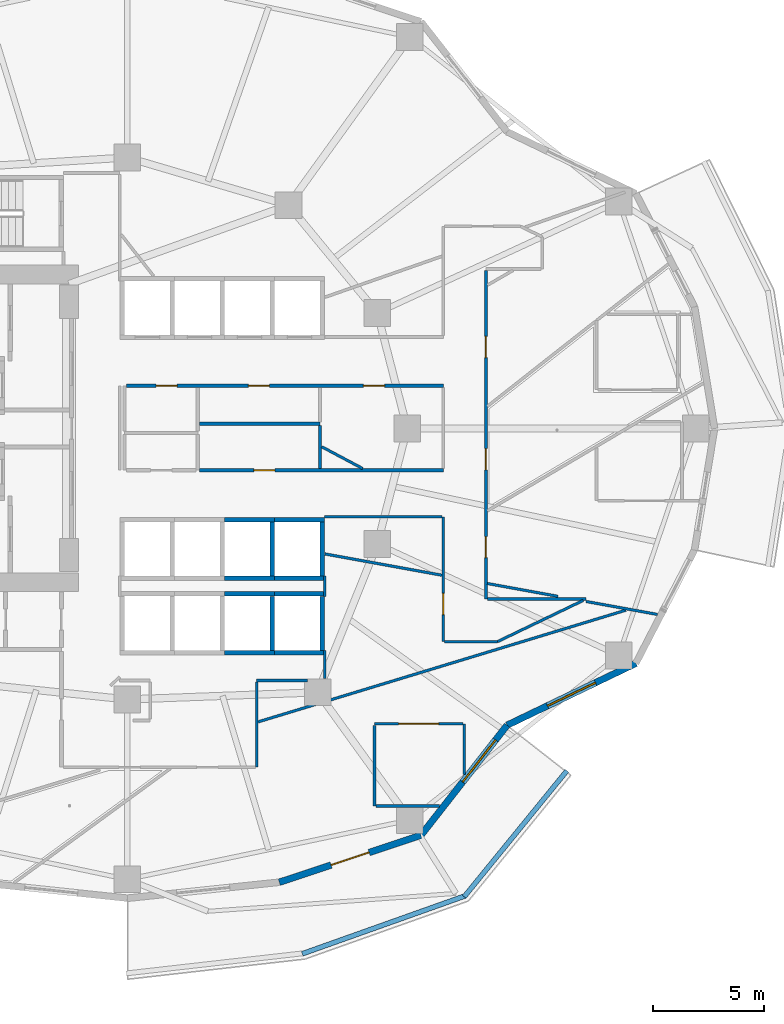
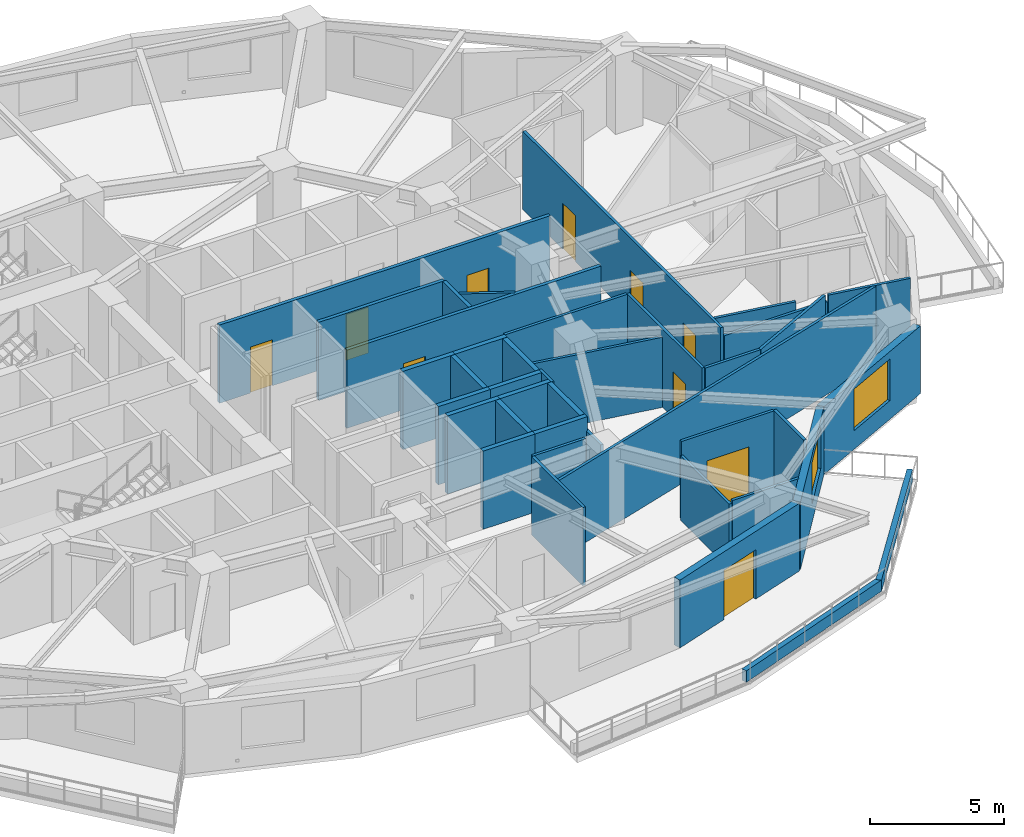
# One storey, part 5 of 15: 40 walls, 10 doors, 2 windows, 12 openings.
"""IFC4 building model written with IfcOpenShell, lengths in metres."""

from ifc_helpers import new_model, si_unit, direction, frame, frame_2d, origin, place, context, subcontext, project, spatial, rectangle, extrude, material, layer, layer_set, type_object, element, fill, save


model = new_model("IFC4")

# Units and contexts
model_context = context("Model", 3, precision=1e-05, world=origin(), true_north=direction((0.0, 1.0)))
body_context = subcontext(model_context, "Body", "Model", "MODEL_VIEW")
ifc_project = project(units=[si_unit("LENGTHUNIT", "METRE"), si_unit("AREAUNIT", "SQUARE_METRE"), si_unit("VOLUMEUNIT", "CUBIC_METRE"), si_unit("PLANEANGLEUNIT", "RADIAN"), si_unit("MASSUNIT", "GRAM", prefix="KILO")], contexts=[model_context])

# Site, building, storey
site_placement = place(None, origin())
site = spatial("IfcSite", under=ifc_project, at=site_placement, CompositionType="ELEMENT")
building_placement = place(site_placement, origin())
building = spatial("IfcBuilding", under=site, at=building_placement, Name="Kolvaren Gate Tower and Convention Centre", CompositionType="ELEMENT")
storey_placement = place(building_placement, frame((0.0, 0.0, 72.699951171875)))
storey = spatial("IfcBuildingStorey", under=building, at=storey_placement, Name="L17", CompositionType="ELEMENT", Elevation=72.699951171875)

# Walls
ifc_material_1 = material(Name="Fire-Rated Acoustic Gypsum Stud Partition", Category="gypsum")
ifc_layer_1 = layer(ifc_material_1, 0.1201171875)
ifc_layer_set_1 = layer_set([ifc_layer_1], Name="Fire-Rated Acoustic Gypsum Stud Partition")
wall_type_1 = type_object("IfcWallType", Name="ARCH-WL-PART-120", PredefinedType="PARTITIONING", material=ifc_layer_set_1)
wall_1_placement = place(storey_placement, frame((35.949951171875, 15.64990234375, 0.0), z_axis=(0.0, 0.0, 1.0), x_axis=(1.0, 0.0, 0.0)))
element("IfcWall", 1, at=wall_1_placement, inside=storey, type_object=wall_type_1, Name="Interior Partition WL-L17-INT-023", PredefinedType="PARTITIONING", context=body_context, shape_type="SweptSolid", body=[
    extrude(rectangle(XDim=2.291015625, YDim=0.1201171875, at=frame_2d((1.1455078125, 0.0))), origin(), (0.0, 0.0, 1.0), 3.570068359375),
])
wall_2_placement = place(storey_placement, frame((35.949951171875, 11.75, 0.0), z_axis=(0.0, 0.0, 1.0), x_axis=(0.0, 1.0, 0.0)))
element("IfcWall", 2, at=wall_2_placement, inside=storey, type_object=wall_type_1, Name="Interior Partition WL-L17-INT-024", PredefinedType="PARTITIONING", context=body_context, shape_type="SweptSolid", body=[
    extrude(rectangle(XDim=3.837890625, YDim=0.1201171875, at=frame_2d((1.9189453125, 0.0))), origin(), (0.0, 0.0, 1.0), 3.570068359375),
])

# Wall, opening, door
wall_3_placement = place(storey_placement, frame((44.35009765625, 17.39990234375, 0.0), z_axis=(0.0, 0.0, 1.0), x_axis=(0.0, 1.0, 0.0)))
wall_3 = element("IfcWall", 3, at=wall_3_placement, inside=storey, type_object=wall_type_1, Name="Interior Partition WL-L17-INT-032", PredefinedType="PARTITIONING", context=body_context, shape_type="SweptSolid", body=[
    extrude(rectangle(XDim=5.6201171875, YDim=0.1201171875, at=frame_2d((2.81005859375, 0.0))), origin(), (0.0, 0.0, 1.0), 3.570068359375),
])
opening_1_placement = place(wall_3_placement, frame((1.222900390625, 0.0, 0.0)))
opening_1 = element("IfcOpeningElement", 4, at=opening_1_placement, cuts=wall_3, Name="Opening DR-01", PredefinedType="OPENING", context=body_context, shape_type="SweptSolid", body=[
    extrude(rectangle(XDim=0.949951171875, YDim=2.10009765625, at=frame_2d((0.47509765625, 1.050048828125))), frame((0.0, 0.070068359375, 0.0), z_axis=(0.0, -1.0, 0.0), x_axis=(1.0, 0.0, 0.0)), (0.0, 0.0, 1.0), 0.14013671875),
])
ifc_material_2 = material(Name="Painted Architectural Steelwork ASTM A500 Grade C 345 MPa", Category="steel")
door_type_1 = type_object("IfcDoorType", Name="ARCH-DR-RISER-950", OperationType="SINGLE_SWING_RIGHT", PredefinedType="DOOR", material=ifc_material_2)
door_1_placement = place(opening_1_placement, origin())
door_1 = element("IfcDoor", 5, at=door_1_placement, inside=storey, type_object=door_type_1, Name="Associate Cellular Office Door", OperationType="SINGLE_SWING_LEFT", OverallHeight=2.10009765625, OverallWidth=0.949951171875, PredefinedType="DOOR", context=body_context, shape_type="SweptSolid", body=[
    extrude(rectangle(XDim=0.949951171875, YDim=2.10009765625, at=frame_2d((0.47509765625, 1.050048828125))), frame((0.0, 0.02490234375, 0.0), z_axis=(0.0, -1.0, 0.0), x_axis=(1.0, 0.0, 0.0)), (0.0, 0.0, 1.0), 0.050048828125),
])
fill(opening_1, door_1)

# Wall, openings, doors
wall_4_placement = place(storey_placement, frame((46.27001953125, 19.320068359375, 0.0), z_axis=(0.0, 0.0, 1.0), x_axis=(0.0, 1.0, 0.0)))
wall_4 = element("IfcWall", 6, at=wall_4_placement, inside=storey, type_object=wall_type_1, Name="Interior Partition WL-L17-INT-039", PredefinedType="PARTITIONING", context=body_context, shape_type="SweptSolid", body=[
    extrude(rectangle(XDim=14.7978515625, YDim=0.1201171875, at=frame_2d((7.39892578125, 0.0))), origin(), (0.0, 0.0, 1.0), 3.570068359375),
])
opening_2_placement = place(wall_4_placement, frame((1.864990234375, 0.0, 0.0)))
opening_2 = element("IfcOpeningElement", 7, at=opening_2_placement, cuts=wall_4, Name="Opening DR-01", PredefinedType="OPENING", context=body_context, shape_type="SweptSolid", body=[
    extrude(rectangle(XDim=0.949951171875, YDim=2.10009765625, at=frame_2d((0.47509765625, 1.050048828125))), frame((0.0, 0.070068359375, 0.0), z_axis=(0.0, -1.0, 0.0), x_axis=(1.0, 0.0, 0.0)), (0.0, 0.0, 1.0), 0.14013671875),
])
opening_3_placement = place(wall_4_placement, frame((5.817626953125, 0.0, 0.0)))
opening_3 = element("IfcOpeningElement", 8, at=opening_3_placement, cuts=wall_4, Name="Opening DR-01", PredefinedType="OPENING", context=body_context, shape_type="SweptSolid", body=[
    extrude(rectangle(XDim=0.949951171875, YDim=2.10009765625, at=frame_2d((0.47509765625, 1.050048828125))), frame((0.0, 0.070068359375, 0.0), z_axis=(0.0, -1.0, 0.0), x_axis=(1.0, 0.0, 0.0)), (0.0, 0.0, 1.0), 0.14013671875),
])
opening_4_placement = place(wall_4_placement, frame((10.871337890625, 0.0, 0.0)))
opening_4 = element("IfcOpeningElement", 9, at=opening_4_placement, cuts=wall_4, Name="Opening DR-01", PredefinedType="OPENING", context=body_context, shape_type="SweptSolid", body=[
    extrude(rectangle(XDim=0.949951171875, YDim=2.10009765625, at=frame_2d((0.47509765625, 1.050048828125))), frame((0.0, 0.070068359375, 0.0), z_axis=(0.0, -1.0, 0.0), x_axis=(1.0, 0.0, 0.0)), (0.0, 0.0, 1.0), 0.14013671875),
])
door_2_placement = place(opening_2_placement, origin())
door_2 = element("IfcDoor", 10, at=door_2_placement, inside=storey, type_object=door_type_1, Name="Associate Cellular Office Door", OperationType="SINGLE_SWING_RIGHT", OverallHeight=2.10009765625, OverallWidth=0.949951171875, PredefinedType="DOOR", context=body_context, shape_type="SweptSolid", body=[
    extrude(rectangle(XDim=0.949951171875, YDim=2.10009765625, at=frame_2d((0.47509765625, 1.050048828125))), frame((0.0, 0.02490234375, 0.0), z_axis=(0.0, -1.0, 0.0), x_axis=(1.0, 0.0, 0.0)), (0.0, 0.0, 1.0), 0.050048828125),
])
fill(opening_2, door_2)
door_3_placement = place(opening_3_placement, origin())
door_3 = element("IfcDoor", 11, at=door_3_placement, inside=storey, type_object=door_type_1, Name="Legal Chambers Cellular Office Door", OperationType="SINGLE_SWING_RIGHT", OverallHeight=2.10009765625, OverallWidth=0.949951171875, PredefinedType="DOOR", context=body_context, shape_type="SweptSolid", body=[
    extrude(rectangle(XDim=0.949951171875, YDim=2.10009765625, at=frame_2d((0.47509765625, 1.050048828125))), frame((0.0, 0.02490234375, 0.0), z_axis=(0.0, -1.0, 0.0), x_axis=(1.0, 0.0, 0.0)), (0.0, 0.0, 1.0), 0.050048828125),
])
fill(opening_3, door_3)
door_4_placement = place(opening_4_placement, origin())
door_4 = element("IfcDoor", 12, at=door_4_placement, inside=storey, type_object=door_type_1, Name="Deposition Interview Room Door", OperationType="SINGLE_SWING_LEFT", OverallHeight=2.10009765625, OverallWidth=0.949951171875, PredefinedType="DOOR", context=body_context, shape_type="SweptSolid", body=[
    extrude(rectangle(XDim=0.949951171875, YDim=2.10009765625, at=frame_2d((0.47509765625, 1.050048828125))), frame((0.0, 0.02490234375, 0.0), z_axis=(0.0, -1.0, 0.0), x_axis=(1.0, 0.0, 0.0)), (0.0, 0.0, 1.0), 0.050048828125),
])
fill(opening_4, door_4)

# Walls
wall_5_placement = place(storey_placement, frame((46.33203125, 19.320068359375, 0.0), z_axis=(0.0, 0.0, 1.0), x_axis=(1.0, 0.0, 0.0)))
element("IfcWall", 13, at=wall_5_placement, inside=storey, type_object=wall_type_1, Name="Interior Partition WL-L17-INT-040", PredefinedType="PARTITIONING", context=body_context, shape_type="SweptSolid", body=[
    extrude(rectangle(XDim=4.447021484375, YDim=0.1201171875, at=frame_2d((2.2236328125, 0.0))), origin(), (0.0, 0.0, 1.0), 3.205078125),
])
wall_6_placement = place(storey_placement, frame((46.782958984375, 17.39990234375, 0.0), z_axis=(0.0, 0.0, 1.0), x_axis=(0.901339159108, 0.433113980679, 0.0)))
element("IfcWall", 14, at=wall_6_placement, inside=storey, type_object=wall_type_1, Name="Interior Partition WL-L17-INT-041", PredefinedType="PARTITIONING", context=body_context, shape_type="SweptSolid", body=[
    extrude(rectangle(XDim=4.290283203125, YDim=0.1201171875, at=frame_2d((2.14501953125, 0.0))), origin(), (0.0, 0.0, 1.0), 3.570068359375),
])
wall_7_placement = place(storey_placement, frame((44.412109375, 17.39990234375, 0.0), z_axis=(0.0, 0.0, 1.0), x_axis=(1.0, 0.0, 0.0)))
element("IfcWall", 15, at=wall_7_placement, inside=storey, type_object=wall_type_1, Name="Interior Partition WL-L17-INT-042", PredefinedType="PARTITIONING", context=body_context, shape_type="SweptSolid", body=[
    extrude(rectangle(XDim=2.370849609375, YDim=0.1201171875, at=frame_2d((1.185546875, 0.0))), origin(), (0.0, 0.0, 1.0), 3.570068359375),
])
wall_8_placement = place(storey_placement, frame((39.0, 23.02001953125, 0.0), z_axis=(0.0, 0.0, 1.0), x_axis=(1.0, 0.0, 0.0)))
element("IfcWall", 16, at=wall_8_placement, inside=storey, type_object=wall_type_1, Name="Interior Partition WL-L17-INT-043", PredefinedType="PARTITIONING", context=body_context, shape_type="SweptSolid", body=[
    extrude(rectangle(XDim=5.2880859375, YDim=0.1201171875, at=frame_2d((2.64404296875, 0.0))), origin(), (0.0, 0.0, 1.0), 3.570068359375),
])
wall_9_placement = place(storey_placement, frame((39.02001953125, 15.741943359375, 0.0), z_axis=(0.0, 0.0, 1.0), x_axis=(0.0, 1.0, 0.0)))
element("IfcWall", 17, at=wall_9_placement, inside=storey, type_object=wall_type_1, Name="Interior Partition WL-L17-INT-044", PredefinedType="PARTITIONING", context=body_context, shape_type="SweptSolid", body=[
    extrude(rectangle(XDim=1.26806640625, YDim=0.1201171875, at=frame_2d((0.634033203125, 0.0))), origin(), (0.0, 0.0, 1.0), 2.93408203125),
])
wall_10_placement = place(storey_placement, frame((39.02001953125, 19.43994140625, 0.0), z_axis=(0.0, 0.0, 1.0), x_axis=(0.0, 1.0, 0.0)))
element("IfcWall", 18, at=wall_10_placement, inside=storey, type_object=wall_type_1, Name="Interior Partition WL-L17-INT-044 (2)", PredefinedType="PARTITIONING", context=body_context, shape_type="SweptSolid", body=[
    extrude(rectangle(XDim=0.920166015625, YDim=0.1201171875, at=frame_2d((0.4599609375, 0.0))), origin(), (0.0, 0.0, 1.0), 3.570068359375),
])
wall_11_placement = place(storey_placement, frame((39.02001953125, 21.351318359375, 0.0), z_axis=(0.0, 0.0, 1.0), x_axis=(0.983848017156, -0.179005807552, 0.0)))
element("IfcWall", 19, at=wall_11_placement, inside=storey, type_object=wall_type_1, Name="Interior Partition WL-L17-INT-049", PredefinedType="PARTITIONING", context=body_context, shape_type="SweptSolid", body=[
    extrude(rectangle(XDim=5.3544921875, YDim=0.1201171875, at=frame_2d((2.67724609375, 0.0))), origin(), (0.0, 0.0, 1.0), 3.205078125),
])
wall_12_placement = place(storey_placement, frame((46.33203125, 20.02099609375, 0.0), z_axis=(0.0, 0.0, 1.0), x_axis=(0.983836071263, -0.17907145189, 0.0)))
element("IfcWall", 20, at=wall_12_placement, inside=storey, type_object=wall_type_1, Name="Interior Partition WL-L17-INT-050", PredefinedType="PARTITIONING", context=body_context, shape_type="SweptSolid", body=[
    extrude(rectangle(XDim=3.23388671875, YDim=0.1201171875, at=frame_2d((1.616943359375, 0.0))), origin(), (0.0, 0.0, 1.0), 3.570068359375),
])
wall_13_placement = place(storey_placement, frame((50.779052734375, 19.2119140625, 0.0), z_axis=(0.0, 0.0, 1.0), x_axis=(0.983831584621, -0.179096100189, 0.0)))
element("IfcWall", 21, at=wall_13_placement, inside=storey, type_object=wall_type_1, Name="Interior Partition WL-L17-INT-051", PredefinedType="PARTITIONING", context=body_context, shape_type="SweptSolid", body=[
    extrude(rectangle(XDim=3.263427734375, YDim=0.1201171875, at=frame_2d((1.6318359375, 0.0))), origin(), (0.0, 0.0, 1.0), 3.570068359375),
])
wall_14_placement = place(storey_placement, frame((36.011962890625, 13.78955078125, 0.0), z_axis=(0.0, 0.0, 1.0), x_axis=(0.95683920317, 0.290617857809, 0.0)))
element("IfcWall", 22, at=wall_14_placement, inside=storey, type_object=wall_type_1, Name="Interior Partition WL-L17-INT-053", PredefinedType="PARTITIONING", context=body_context, shape_type="SweptSolid", body=[
    extrude(rectangle(XDim=17.31396484375, YDim=0.1201171875, at=frame_2d((8.656982421875, 0.0))), origin(), (0.0, 0.0, 1.0), 3.570068359375),
])
wall_15_placement = place(storey_placement, frame((45.300048828125, 11.428955078125, 0.0), z_axis=(0.0, 0.0, 1.0), x_axis=(0.0, 1.0, 0.0)))
element("IfcWall", 23, at=wall_15_placement, inside=storey, type_object=wall_type_1, Name="Interior Partition WL-L17-INT-055", PredefinedType="PARTITIONING", context=body_context, shape_type="SweptSolid", body=[
    extrude(rectangle(XDim=2.27099609375, YDim=0.1201171875, at=frame_2d((1.135498046875, 0.0))), origin(), (0.0, 0.0, 1.0), 3.570068359375),
])

# Wall, opening, door
wall_16_placement = place(storey_placement, frame((41.25, 13.699951171875, 0.0), z_axis=(0.0, 0.0, 1.0), x_axis=(1.0, 0.0, 0.0)))
wall_16 = element("IfcWall", 24, at=wall_16_placement, inside=storey, type_object=wall_type_1, Name="Interior Partition WL-L17-INT-056", PredefinedType="PARTITIONING", context=body_context, shape_type="SweptSolid", body=[
    extrude(rectangle(XDim=3.988037109375, YDim=0.1201171875, at=frame_2d((1.994140625, 0.0))), origin(), (0.0, 0.0, 1.0), 3.570068359375),
])
opening_5_placement = place(wall_16_placement, frame((1.093994140625, 0.0, 0.0)))
opening_5 = element("IfcOpeningElement", 25, at=opening_5_placement, cuts=wall_16, Name="Opening DH-01", PredefinedType="OPENING", context=body_context, shape_type="SweptSolid", body=[
    extrude(rectangle(XDim=1.800048828125, YDim=2.300048828125, at=frame_2d((0.89990234375, 1.14990234375))), frame((0.0, 0.070068359375, 0.0), z_axis=(0.0, -1.0, 0.0), x_axis=(1.0, 0.0, 0.0)), (0.0, 0.0, 1.0), 0.14013671875),
])
ifc_material_3 = material(Name="FSC Andean Oak Engineered Veneer Door Leaf", Category="wood")
door_type_2 = type_object("IfcDoorType", Name="ARCH-DR-HALL-1800", OperationType="DOUBLE_DOOR_SINGLE_SWING", PredefinedType="DOOR", material=ifc_material_3)
door_5_placement = place(opening_5_placement, origin())
door_5 = element("IfcDoor", 26, at=door_5_placement, inside=storey, type_object=door_type_2, Name="Consultation Meeting Room Door", OperationType="DOUBLE_DOOR_SINGLE_SWING", OverallHeight=2.300048828125, OverallWidth=1.800048828125, PredefinedType="DOOR", context=body_context, shape_type="SweptSolid", body=[
    extrude(rectangle(XDim=1.800048828125, YDim=2.300048828125, at=frame_2d((0.89990234375, 1.14990234375))), frame((0.0, 0.02490234375, 0.0), z_axis=(0.0, -1.0, 0.0), x_axis=(1.0, 0.0, 0.0)), (0.0, 0.0, 1.0), 0.050048828125),
])
fill(opening_5, door_5)

# Walls
wall_17_placement = place(storey_placement, frame((41.25, 10.0, 0.0), z_axis=(0.0, 0.0, 1.0), x_axis=(0.0, 1.0, 0.0)))
element("IfcWall", 27, at=wall_17_placement, inside=storey, type_object=wall_type_1, Name="Interior Partition WL-L17-INT-057", PredefinedType="PARTITIONING", context=body_context, shape_type="SweptSolid", body=[
    extrude(rectangle(XDim=3.637939453125, YDim=0.1201171875, at=frame_2d((1.81884765625, 0.0))), origin(), (0.0, 0.0, 1.0), 2.93408203125),
])
wall_18_placement = place(storey_placement, frame((41.31201171875, 10.0, 0.0), z_axis=(0.0, 0.0, 1.0), x_axis=(1.0, 0.0, 0.0)))
element("IfcWall", 28, at=wall_18_placement, inside=storey, type_object=wall_type_1, Name="Interior Partition WL-L17-INT-058", PredefinedType="PARTITIONING", context=body_context, shape_type="SweptSolid", body=[
    extrude(rectangle(XDim=2.869384765625, YDim=0.1201171875, at=frame_2d((1.4345703125, 0.0))), origin(), (0.0, 0.0, 1.0), 3.093017578125),
])
wall_19_placement = place(storey_placement, frame((38.876953125, 26.177001953125, 0.0), z_axis=(0.0, 0.0, 1.0), x_axis=(0.882864132349, -0.469628495527, 0.0)))
element("IfcWall", 29, at=wall_19_placement, inside=storey, type_object=wall_type_1, Name="Interior Partition WL-L17-INT-065", PredefinedType="PARTITIONING", context=body_context, shape_type="SweptSolid", body=[
    extrude(rectangle(XDim=2.086669921875, YDim=0.1201171875, at=frame_2d((1.04345703125, 0.0))), origin(), (0.0, 0.0, 1.0), 3.570068359375),
])
ifc_material_4 = material(Name="Piedmont Cream Honed Limestone Cladding", Category="masonry")
ifc_layer_2 = layer(ifc_material_4, 0.219970703125)
ifc_layer_set_2 = layer_set([ifc_layer_2], Name="Piedmont Cream Honed Limestone Cladding")
wall_type_2 = type_object("IfcWallType", Name="ARCH-WL-PLANTER-220", PredefinedType="PARAPET", material=ifc_layer_set_2)
wall_20_placement = place(storey_placement, frame((38.001220703125, 3.348876953125, 0.0), z_axis=(0.0, 0.0, 1.0), x_axis=(0.942203722205, 0.335040513764, 0.0)))
element("IfcWall", 30, at=wall_20_placement, inside=storey, type_object=wall_type_2, Name="Vertical-Forest Balcony Stone Planter Kerb PK-L17-3.2", PredefinedType="PARAPET", context=body_context, shape_type="SweptSolid", body=[
    extrude(rectangle(XDim=7.80712890625, YDim=0.219970703125, at=frame_2d((3.903564453125, 0.0))), origin(), (0.0, 0.0, 1.0), 0.52001953125),
])
wall_21_placement = place(storey_placement, frame((45.2919921875, 5.91796875, 0.0), z_axis=(0.0, 0.0, 1.0), x_axis=(0.631819273026, 0.775115737315, 0.0)))
element("IfcWall", 31, at=wall_21_placement, inside=storey, type_object=wall_type_2, Name="Vertical-Forest Balcony Stone Planter Kerb PK-L17-3.3", PredefinedType="PARAPET", context=body_context, shape_type="SweptSolid", body=[
    extrude(rectangle(XDim=7.31591796875, YDim=0.219970703125, at=frame_2d((3.657958984375, 0.0))), origin(), (0.0, 0.0, 1.0), 0.52001953125),
])
ifc_material_5 = material(Name="Autoclaved Aerated Masonry Blockwork Class 4 (4.0 MPa)", Category="masonry")
ifc_layer_3 = layer(ifc_material_5, 0.199951171875)
ifc_layer_set_3 = layer_set([ifc_layer_3], Name="Autoclaved Aerated Masonry Blockwork Class 4 (4.0 MPa)")
wall_type_3 = type_object("IfcWallType", Name="ARCH-WL-SHAFT-200", PredefinedType="SOLIDWALL", material=ifc_layer_set_3)
for number, where, z_axis, x_axis, name in (
    (32, (34.5, 19.550048828125, 0.0), (0.0, 0.0, 1.0), (1.0, 0.0, 0.0), "Elevator PL-07 L17 Fire Shaft Wall N"),
    (33, (34.5, 16.89990234375, 0.0), (0.0, 0.0, 1.0), (1.0, 0.0, 0.0), "Elevator PL-07 L17 Fire Shaft Wall S"),
):
    element("IfcWall", number, at=place(storey_placement, frame(where, z_axis=z_axis, x_axis=x_axis)), inside=storey, type_object=wall_type_3, Name=name, PredefinedType="SOLIDWALL", context=body_context, shape_type="SweptSolid", body=[
        extrude(rectangle(XDim=2.25, YDim=0.199951171875, at=frame_2d((1.125, 0.0))), origin(), (0.0, 0.0, 1.0), 3.570068359375),
    ])
wall_22_placement = place(storey_placement, frame((36.64990234375, 17.010009765625, 0.0), z_axis=(0.0, 0.0, 1.0), x_axis=(0.0, 1.0, 0.0)))
element("IfcWall", 34, at=wall_22_placement, inside=storey, type_object=wall_type_3, Name="Elevator PL-07 L17 Fire Shaft Wall E", PredefinedType="SOLIDWALL", context=body_context, shape_type="SweptSolid", body=[
    extrude(rectangle(XDim=2.429931640625, YDim=0.199951171875, at=frame_2d((1.21484375, 0.0))), origin(), (0.0, 0.0, 1.0), 3.570068359375),
])
for number, where, z_axis, x_axis, name in (
    (35, (36.75, 19.550048828125, 0.0), (0.0, 0.0, 1.0), (1.0, 0.0, 0.0), "Elevator PL-08 L17 Fire Shaft Wall N"),
    (36, (36.75, 16.89990234375, 0.0), (0.0, 0.0, 1.0), (1.0, 0.0, 0.0), "Elevator PL-08 L17 Fire Shaft Wall S"),
):
    element("IfcWall", number, at=place(storey_placement, frame(where, z_axis=z_axis, x_axis=x_axis)), inside=storey, type_object=wall_type_3, Name=name, PredefinedType="SOLIDWALL", context=body_context, shape_type="SweptSolid", body=[
        extrude(rectangle(XDim=2.25, YDim=0.199951171875, at=frame_2d((1.125, 0.0))), origin(), (0.0, 0.0, 1.0), 3.570068359375),
    ])
wall_23_placement = place(storey_placement, frame((38.89990234375, 17.010009765625, 0.0), z_axis=(0.0, 0.0, 1.0), x_axis=(0.0, 1.0, 0.0)))
element("IfcWall", 37, at=wall_23_placement, inside=storey, type_object=wall_type_3, Name="Elevator PL-08 L17 Fire Shaft Wall E", PredefinedType="SOLIDWALL", context=body_context, shape_type="SweptSolid", body=[
    extrude(rectangle(XDim=2.429931640625, YDim=0.199951171875, at=frame_2d((1.21484375, 0.0))), origin(), (0.0, 0.0, 1.0), 3.570068359375),
])
for number, where, z_axis, x_axis, name in (
    (38, (34.5, 22.89990234375, 0.0), (0.0, 0.0, 1.0), (1.0, 0.0, 0.0), "Elevator PL-11 L17 Fire Shaft Wall N"),
    (39, (34.5, 20.25, 0.0), (0.0, 0.0, 1.0), (1.0, 0.0, 0.0), "Elevator PL-11 L17 Fire Shaft Wall S"),
):
    element("IfcWall", number, at=place(storey_placement, frame(where, z_axis=z_axis, x_axis=x_axis)), inside=storey, type_object=wall_type_3, Name=name, PredefinedType="SOLIDWALL", context=body_context, shape_type="SweptSolid", body=[
        extrude(rectangle(XDim=2.25, YDim=0.199951171875, at=frame_2d((1.125, 0.0))), origin(), (0.0, 0.0, 1.0), 3.570068359375),
    ])
wall_24_placement = place(storey_placement, frame((36.64990234375, 20.360107421875, 0.0), z_axis=(0.0, 0.0, 1.0), x_axis=(0.0, 1.0, 0.0)))
element("IfcWall", 40, at=wall_24_placement, inside=storey, type_object=wall_type_3, Name="Elevator PL-11 L17 Fire Shaft Wall E", PredefinedType="SOLIDWALL", context=body_context, shape_type="SweptSolid", body=[
    extrude(rectangle(XDim=2.429931640625, YDim=0.199951171875, at=frame_2d((1.21484375, 0.0))), origin(), (0.0, 0.0, 1.0), 3.570068359375),
])
for number, where, z_axis, x_axis, name in (
    (41, (36.75, 22.89990234375, 0.0), (0.0, 0.0, 1.0), (1.0, 0.0, 0.0), "Elevator PL-12 L17 Fire Shaft Wall N"),
    (42, (36.75, 20.25, 0.0), (0.0, 0.0, 1.0), (1.0, 0.0, 0.0), "Elevator PL-12 L17 Fire Shaft Wall S"),
):
    element("IfcWall", number, at=place(storey_placement, frame(where, z_axis=z_axis, x_axis=x_axis)), inside=storey, type_object=wall_type_3, Name=name, PredefinedType="SOLIDWALL", context=body_context, shape_type="SweptSolid", body=[
        extrude(rectangle(XDim=2.25, YDim=0.199951171875, at=frame_2d((1.125, 0.0))), origin(), (0.0, 0.0, 1.0), 3.570068359375),
    ])
wall_25_placement = place(storey_placement, frame((38.89990234375, 20.360107421875, 0.0), z_axis=(0.0, 0.0, 1.0), x_axis=(0.0, 1.0, 0.0)))
element("IfcWall", 43, at=wall_25_placement, inside=storey, type_object=wall_type_3, Name="Elevator PL-12 L17 Fire Shaft Wall E", PredefinedType="SOLIDWALL", context=body_context, shape_type="SweptSolid", body=[
    extrude(rectangle(XDim=2.429931640625, YDim=0.199951171875, at=frame_2d((1.21484375, 0.0))), origin(), (0.0, 0.0, 1.0), 3.570068359375),
])

# Wall, opening, door
ifc_layer_4 = layer(ifc_material_4, 0.300048828125)
ifc_layer_set_4 = layer_set([ifc_layer_4], Name="Piedmont Cream Honed Limestone Cladding")
wall_type_4 = type_object("IfcWallType", Name="ARCH-WL-STONE-300", PredefinedType="SOLIDWALL", material=ifc_layer_set_4)
wall_26_placement = place(storey_placement, frame((36.967529296875, 6.57080078125, 0.0), z_axis=(0.0, 0.0, 1.0), x_axis=(0.949245153629, 0.314537181127, 0.0)))
wall_26 = element("IfcWall", 44, at=wall_26_placement, inside=storey, type_object=wall_type_4, Name="Tower L17 Honed Stone Spandrel Wall EW-19", PredefinedType="SOLIDWALL", context=body_context, shape_type="SweptSolid", body=[
    extrude(rectangle(XDim=6.717041015625, YDim=0.300048828125, at=frame_2d((3.3583984375, 0.0))), origin(), (0.0, 0.0, 1.0), 3.093017578125),
])
opening_6_placement = place(wall_26_placement, frame((2.458984375, 0.0, 0.0)))
opening_6 = element("IfcOpeningElement", 45, at=opening_6_placement, cuts=wall_26, Name="Opening DB-01", PredefinedType="OPENING", context=body_context, shape_type="SweptSolid", body=[
    extrude(rectangle(XDim=1.800048828125, YDim=2.25, at=frame_2d((0.89990234375, 1.125))), frame((0.0, 0.159912109375, 0.0), z_axis=(0.0, -1.0, 0.0), x_axis=(1.0, 0.0, 0.0)), (0.0, 0.0, 1.0), 0.320068359375),
])
ifc_material_6 = material(Name="Anodized Architectural Aluminium Alloy 6063-T6", Category="aluminium")
door_type_3 = type_object("IfcDoorType", Name="ARCH-DR-BALC-1800", OperationType="SLIDING_TO_LEFT", PredefinedType="DOOR", material=ifc_material_6)
door_6_placement = place(opening_6_placement, frame((1.800048828125, 0.0, 0.0), z_axis=(0.0, 0.0, 1.0), x_axis=(-1.0, 0.0, 0.0)))
door_6 = element("IfcDoor", 46, at=door_6_placement, inside=storey, type_object=door_type_3, Name="Planted Sky Terrace Access Door DB-L17-19", OperationType="SLIDING_TO_LEFT", OverallHeight=2.25, OverallWidth=1.800048828125, PredefinedType="DOOR", context=body_context, shape_type="SweptSolid", body=[
    extrude(rectangle(XDim=1.800048828125, YDim=2.25, at=frame_2d((0.89990234375, 1.125))), frame((0.0, 0.02490234375, 0.0), z_axis=(0.0, -1.0, 0.0), x_axis=(1.0, 0.0, 0.0)), (0.0, 0.0, 1.0), 0.050048828125),
])
fill(opening_6, door_6)

# Wall, opening, window
wall_27_placement = place(storey_placement, frame((43.34375, 8.68359375, 0.0), z_axis=(0.0, 0.0, 1.0), x_axis=(0.616434798832, 0.78740595552, 0.0)))
wall_27 = element("IfcWall", 47, at=wall_27_placement, inside=storey, type_object=wall_type_4, Name="Tower L17 Honed Stone Spandrel Wall EW-20", PredefinedType="SOLIDWALL", context=body_context, shape_type="SweptSolid", body=[
    extrude(rectangle(XDim=6.29443359375, YDim=0.300048828125, at=frame_2d((3.147216796875, 0.0))), origin(), (0.0, 0.0, 1.0), 3.093017578125),
])
opening_7_placement = place(wall_27_placement, frame((3.050048828125, 0.0, 0.85009765625)))
opening_7 = element("IfcOpeningElement", 48, at=opening_7_placement, cuts=wall_27, Name="Opening W-01", PredefinedType="OPENING", context=body_context, shape_type="SweptSolid", body=[
    extrude(rectangle(XDim=2.39990234375, YDim=1.89990234375, at=frame_2d((1.199951171875, 0.949951171875))), frame((0.0, 0.159912109375, 0.0), z_axis=(0.0, -1.0, 0.0), x_axis=(1.0, 0.0, 0.0)), (0.0, 0.0, 1.0), 0.320068359375),
])
ifc_material_7 = material(Name="Low-E Triple Insulated Glazing Unit 44 mm", Category="glass")
window_type = type_object("IfcWindowType", Name="ARCH-WN-OFF-2400", PartitioningType="SINGLE_PANEL", PredefinedType="WINDOW", material=ifc_material_7)
window_1_placement = place(opening_7_placement, origin())
window_1 = element("IfcWindow", 49, at=window_1_placement, inside=storey, type_object=window_type, Name="Tower L17 Punched Stone Facade Window W-20", OverallHeight=1.89990234375, OverallWidth=2.39990234375, PartitioningType="SINGLE_PANEL", PredefinedType="WINDOW", context=body_context, shape_type="SweptSolid", body=[
    extrude(rectangle(XDim=2.39990234375, YDim=1.89990234375, at=frame_2d((1.199951171875, 0.949951171875))), frame((0.0, 0.030029296875, 0.0), z_axis=(0.0, -1.0, 0.0), x_axis=(1.0, 0.0, 0.0)), (0.0, 0.0, 1.0), 0.06005859375),
])
fill(opening_7, window_1)

wall_28_placement = place(storey_placement, frame((47.223876953125, 13.639892578125, 0.0), z_axis=(0.0, 0.0, 1.0), x_axis=(0.901354747727, 0.433081538224, 0.0)))
wall_28 = element("IfcWall", 50, at=wall_28_placement, inside=storey, type_object=wall_type_4, Name="Tower L17 Honed Stone Spandrel Wall EW-21", PredefinedType="SOLIDWALL", context=body_context, shape_type="SweptSolid", body=[
    extrude(rectangle(XDim=6.430908203125, YDim=0.300048828125, at=frame_2d((3.21533203125, 0.0))), origin(), (0.0, 0.0, 1.0), 3.093017578125),
])
opening_8_placement = place(wall_28_placement, frame((2.014892578125, 0.0, 0.85009765625)))
opening_8 = element("IfcOpeningElement", 51, at=opening_8_placement, cuts=wall_28, Name="Opening W-01", PredefinedType="OPENING", context=body_context, shape_type="SweptSolid", body=[
    extrude(rectangle(XDim=2.39990234375, YDim=1.89990234375, at=frame_2d((1.199951171875, 0.949951171875))), frame((0.0, 0.159912109375, 0.0), z_axis=(0.0, -1.0, 0.0), x_axis=(1.0, 0.0, 0.0)), (0.0, 0.0, 1.0), 0.320068359375),
])
window_2_placement = place(opening_8_placement, origin())
window_2 = element("IfcWindow", 52, at=window_2_placement, inside=storey, type_object=window_type, Name="Tower L17 Punched Stone Facade Window W-21", OverallHeight=1.89990234375, OverallWidth=2.39990234375, PartitioningType="SINGLE_PANEL", PredefinedType="WINDOW", context=body_context, shape_type="SweptSolid", body=[
    extrude(rectangle(XDim=2.39990234375, YDim=1.89990234375, at=frame_2d((1.199951171875, 0.949951171875))), frame((0.0, 0.030029296875, 0.0), z_axis=(0.0, -1.0, 0.0), x_axis=(1.0, 0.0, 0.0)), (0.0, 0.0, 1.0), 0.06005859375),
])
fill(opening_8, window_2)

# Wall, openings, doors
ifc_material_8 = material(Name="Moisture-Resistant Cement-Board Acoustic Partition", Category="gypsum")
ifc_layer_5 = layer(ifc_material_8, 0.14990234375)
ifc_layer_set_5 = layer_set([ifc_layer_5], Name="Moisture-Resistant Cement-Board Acoustic Partition")
wall_type_5 = type_object("IfcWallType", Name="ARCH-WL-WET-150", PredefinedType="PARTITIONING", material=ifc_layer_set_5)
wall_29_placement = place(storey_placement, frame((30.076904296875, 28.919921875, 0.0), z_axis=(0.0, 0.0, 1.0), x_axis=(1.0, 0.0, 0.0)))
wall_29 = element("IfcWall", 53, at=wall_29_placement, inside=storey, type_object=wall_type_5, Name="Interior Partition WL-L17-INT-017", PredefinedType="PARTITIONING", context=body_context, shape_type="SweptSolid", body=[
    extrude(rectangle(XDim=14.273193359375, YDim=0.14990234375, at=frame_2d((7.13671875, 0.0))), origin(), (0.0, 0.0, 1.0), 3.570068359375),
])
opening_9_placement = place(wall_29_placement, frame((1.341552734375, 0.0, 0.0)))
opening_9 = element("IfcOpeningElement", 54, at=opening_9_placement, cuts=wall_29, Name="Opening DR-01", PredefinedType="OPENING", context=body_context, shape_type="SweptSolid", body=[
    extrude(rectangle(XDim=0.949951171875, YDim=2.10009765625, at=frame_2d((0.47509765625, 1.050048828125))), frame((0.0, 0.0849609375, 0.0), z_axis=(0.0, -1.0, 0.0), x_axis=(1.0, 0.0, 0.0)), (0.0, 0.0, 1.0), 0.169921875),
])
opening_10_placement = place(wall_29_placement, frame((5.498046875, 0.0, 0.0)))
opening_10 = element("IfcOpeningElement", 55, at=opening_10_placement, cuts=wall_29, Name="Opening DR-01", PredefinedType="OPENING", context=body_context, shape_type="SweptSolid", body=[
    extrude(rectangle(XDim=0.949951171875, YDim=2.10009765625, at=frame_2d((0.47509765625, 1.050048828125))), frame((0.0, 0.0849609375, 0.0), z_axis=(0.0, -1.0, 0.0), x_axis=(1.0, 0.0, 0.0)), (0.0, 0.0, 1.0), 0.169921875),
])
opening_11_placement = place(wall_29_placement, frame((10.677978515625, 0.0, 0.0)))
opening_11 = element("IfcOpeningElement", 56, at=opening_11_placement, cuts=wall_29, Name="Opening DR-01", PredefinedType="OPENING", context=body_context, shape_type="SweptSolid", body=[
    extrude(rectangle(XDim=0.949951171875, YDim=2.10009765625, at=frame_2d((0.47509765625, 1.050048828125))), frame((0.0, 0.0849609375, 0.0), z_axis=(0.0, -1.0, 0.0), x_axis=(1.0, 0.0, 0.0)), (0.0, 0.0, 1.0), 0.169921875),
])
door_7_placement = place(opening_9_placement, origin())
door_7 = element("IfcDoor", 57, at=door_7_placement, inside=storey, type_object=door_type_1, Name="Accessible North Washroom Door", OperationType="SINGLE_SWING_RIGHT", OverallHeight=2.10009765625, OverallWidth=0.949951171875, PredefinedType="DOOR", context=body_context, shape_type="SweptSolid", body=[
    extrude(rectangle(XDim=0.949951171875, YDim=2.10009765625, at=frame_2d((0.47509765625, 1.050048828125))), frame((0.0, 0.02490234375, 0.0), z_axis=(0.0, -1.0, 0.0), x_axis=(1.0, 0.0, 0.0)), (0.0, 0.0, 1.0), 0.050048828125),
])
fill(opening_9, door_7)
door_8_placement = place(opening_10_placement, origin())
door_8 = element("IfcDoor", 58, at=door_8_placement, inside=storey, type_object=door_type_1, Name="Floor Janitor and Supply Store Door", OperationType="SINGLE_SWING_RIGHT", OverallHeight=2.10009765625, OverallWidth=0.949951171875, PredefinedType="DOOR", context=body_context, shape_type="SweptSolid", body=[
    extrude(rectangle(XDim=0.949951171875, YDim=2.10009765625, at=frame_2d((0.47509765625, 1.050048828125))), frame((0.0, 0.02490234375, 0.0), z_axis=(0.0, -1.0, 0.0), x_axis=(1.0, 0.0, 0.0)), (0.0, 0.0, 1.0), 0.050048828125),
])
fill(opening_10, door_8)
door_9_placement = place(opening_11_placement, origin())
door_9 = element("IfcDoor", 59, at=door_9_placement, inside=storey, type_object=door_type_1, Name="Tea Pantry Door", OperationType="SINGLE_SWING_LEFT", OverallHeight=2.10009765625, OverallWidth=0.949951171875, PredefinedType="DOOR", context=body_context, shape_type="SweptSolid", body=[
    extrude(rectangle(XDim=0.949951171875, YDim=2.10009765625, at=frame_2d((0.47509765625, 1.050048828125))), frame((0.0, 0.02490234375, 0.0), z_axis=(0.0, -1.0, 0.0), x_axis=(1.0, 0.0, 0.0)), (0.0, 0.0, 1.0), 0.050048828125),
])
fill(opening_11, door_9)

# Wall, opening, door
wall_30_placement = place(storey_placement, frame((33.376953125, 25.1201171875, 0.0), z_axis=(0.0, 0.0, 1.0), x_axis=(1.0, 0.0, 0.0)))
wall_30 = element("IfcWall", 60, at=wall_30_placement, inside=storey, type_object=wall_type_5, Name="Interior Partition WL-L17-INT-019 (2)", PredefinedType="PARTITIONING", context=body_context, shape_type="SweptSolid", body=[
    extrude(rectangle(XDim=10.97314453125, YDim=0.14990234375, at=frame_2d((5.486572265625, 0.0))), origin(), (0.0, 0.0, 1.0), 3.570068359375),
])
opening_12_placement = place(wall_30_placement, frame((2.44140625, 0.0, 0.0)))
opening_12 = element("IfcOpeningElement", 61, at=opening_12_placement, cuts=wall_30, Name="Opening DR-01", PredefinedType="OPENING", context=body_context, shape_type="SweptSolid", body=[
    extrude(rectangle(XDim=0.949951171875, YDim=2.10009765625, at=frame_2d((0.47509765625, 1.050048828125))), frame((0.0, 0.0849609375, 0.0), z_axis=(0.0, -1.0, 0.0), x_axis=(1.0, 0.0, 0.0)), (0.0, 0.0, 1.0), 0.169921875),
])
door_10_placement = place(opening_12_placement, origin())
door_10 = element("IfcDoor", 62, at=door_10_placement, inside=storey, type_object=door_type_1, Name="Floor Coffee Pantry Door", OperationType="SINGLE_SWING_LEFT", OverallHeight=2.10009765625, OverallWidth=0.949951171875, PredefinedType="DOOR", context=body_context, shape_type="SweptSolid", body=[
    extrude(rectangle(XDim=0.949951171875, YDim=2.10009765625, at=frame_2d((0.47509765625, 1.050048828125))), frame((0.0, 0.02490234375, 0.0), z_axis=(0.0, -1.0, 0.0), x_axis=(1.0, 0.0, 0.0)), (0.0, 0.0, 1.0), 0.050048828125),
])
fill(opening_12, door_10)

# Walls
wall_31_placement = place(storey_placement, frame((33.376953125, 27.219970703125, 0.0), z_axis=(0.0, 0.0, 1.0), x_axis=(1.0, 0.0, 0.0)))
element("IfcWall", 63, at=wall_31_placement, inside=storey, type_object=wall_type_5, Name="Interior Partition WL-L17-INT-020", PredefinedType="PARTITIONING", context=body_context, shape_type="SweptSolid", body=[
    extrude(rectangle(XDim=5.423095703125, YDim=0.14990234375, at=frame_2d((2.71142578125, 0.0))), origin(), (0.0, 0.0, 1.0), 3.570068359375),
])
wall_32_placement = place(storey_placement, frame((38.800048828125, 25.197021484375, 0.0), z_axis=(0.0, 0.0, 1.0), x_axis=(0.0, 1.0, 0.0)))
element("IfcWall", 64, at=wall_32_placement, inside=storey, type_object=wall_type_5, Name="Interior Partition WL-L17-INT-021", PredefinedType="PARTITIONING", context=body_context, shape_type="SweptSolid", body=[
    extrude(rectangle(XDim=1.946044921875, YDim=0.14990234375, at=frame_2d((0.97314453125, 0.0))), origin(), (0.0, 0.0, 1.0), 3.570068359375),
])

save(model, "model.ifc")
